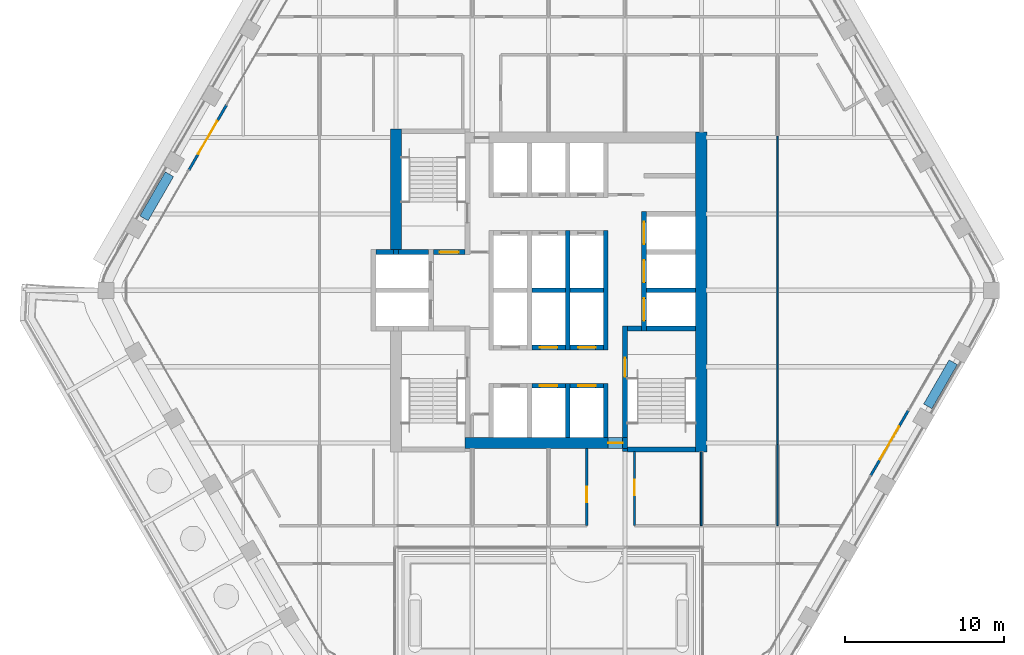
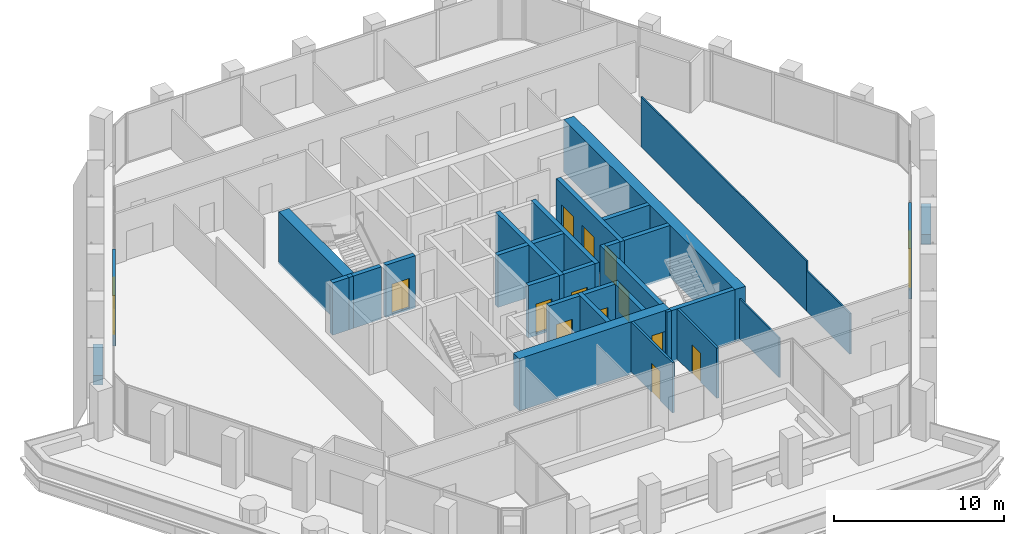
# One storey, part 13 of 18: 33 walls, 14 doors, 14 openings.
"""IFC4 building model written with IfcOpenShell, lengths in metres."""

from ifc_helpers import new_model, si_unit, direction, frame, frame_2d, origin, place, context, subcontext, project, spatial, rectangle, extrude, material, layer, layer_set, type_object, element, fill, save


model = new_model("IFC4")

# Units and contexts
model_context = context("Model", 3, precision=1e-05, world=origin(), true_north=direction((0.0, 1.0)))
body_context = subcontext(model_context, "Body", "Model", "MODEL_VIEW")
ifc_project = project(units=[si_unit("LENGTHUNIT", "METRE"), si_unit("AREAUNIT", "SQUARE_METRE"), si_unit("VOLUMEUNIT", "CUBIC_METRE"), si_unit("PLANEANGLEUNIT", "RADIAN"), si_unit("MASSUNIT", "GRAM", prefix="KILO")], contexts=[model_context])

# Site, building, storey
site_placement = place(None, origin())
site = spatial("IfcSite", under=ifc_project, at=site_placement, CompositionType="ELEMENT")
building_placement = place(site_placement, origin())
building = spatial("IfcBuilding", under=site, at=building_placement, Name="Kolab Exchange Tower", CompositionType="ELEMENT")
storey_placement = place(building_placement, frame((0.0, 0.0, 212.89990234375)))
storey = spatial("IfcBuildingStorey", under=building, at=storey_placement, Name="L46", CompositionType="ELEMENT", Elevation=212.89990234375)

# Wall, opening, door
ifc_material_1 = material(Name="Concrete C60/75", Category="concrete")
ifc_layer_1 = layer(ifc_material_1, 0.699951171875)
ifc_layer_set_1 = layer_set([ifc_layer_1], Name="Concrete C60/75")
wall_type_1 = type_object("IfcWallType", Name="CORE WALL 700 C60/75", PredefinedType="SHEAR", material=ifc_layer_set_1)
wall_1_placement = place(storey_placement, frame((-5.25, -9.60009765625, -0.14990234375), z_axis=(0.0, 0.0, 1.0), x_axis=(1.0, 0.0, 0.0)))
wall_1 = element("IfcWall", 1, at=wall_1_placement, inside=storey, type_object=wall_type_1, Name="wall/L46/core/002", PredefinedType="SHEAR", context=body_context, shape_type="SweptSolid", body=[
    extrude(rectangle(XDim=10.199951171875, YDim=0.699951171875, at=frame_2d((5.10009765625, 0.0))), origin(), (0.0, 0.0, 1.0), 3.75),
])
opening_1_placement = place(wall_1_placement, frame((9.0, 0.0, 0.14990234375)))
opening_1 = element("IfcOpeningElement", 2, at=opening_1_placement, cuts=wall_1, Name="Opening D6-291", PredefinedType="OPENING", context=body_context, shape_type="SweptSolid", body=[
    extrude(rectangle(XDim=0.89990234375, YDim=2.10009765625, at=frame_2d((0.449951171875, 1.050048828125))), frame((0.0, 0.35986328125, 0.0), z_axis=(0.0, -1.0, 0.0), x_axis=(1.0, 0.0, 0.0)), (0.0, 0.0, 1.0), 0.719970703125),
])
ifc_material_2 = material(Name="Steel S235", Category="steel")
door_type_1 = type_object("IfcDoorType", Name="CORE DOOR 900 EI 120", OperationType="SINGLE_SWING_LEFT", PredefinedType="DOOR", material=ifc_material_2)
door_1_placement = place(opening_1_placement, origin())
door_1 = element("IfcDoor", 3, at=door_1_placement, inside=storey, type_object=door_type_1, Name="Core lobby door", OperationType="SINGLE_SWING_LEFT", OverallHeight=2.10009765625, OverallWidth=0.89990234375, PredefinedType="DOOR", context=body_context, shape_type="SweptSolid", body=[
    extrude(rectangle(XDim=0.89990234375, YDim=2.10009765625, at=frame_2d((0.449951171875, 1.050048828125))), frame((0.0, 0.02490234375, 0.0), z_axis=(0.0, -1.0, 0.0), x_axis=(1.0, 0.0, 0.0)), (0.0, 0.0, 1.0), 0.050048828125),
])
fill(opening_1, door_1)

# Walls
wall_2_placement = place(storey_placement, frame((-9.60009765625, 2.550048828125, -0.14990234375), z_axis=(0.0, 0.0, 1.0), x_axis=(0.0, 1.0, 0.0)))
element("IfcWall", 4, at=wall_2_placement, inside=storey, type_object=wall_type_1, Name="wall/L46/core/037", PredefinedType="SHEAR", context=body_context, shape_type="SweptSolid", body=[
    extrude(rectangle(XDim=7.599853515625, YDim=0.699951171875, at=frame_2d((3.7998046875, 0.0))), origin(), (0.0, 0.0, 1.0), 3.75),
])
wall_3_placement = place(storey_placement, frame((9.60009765625, -10.14990234375, -0.14990234375), z_axis=(0.0, 0.0, 1.0), x_axis=(0.0, 1.0, 0.0)))
element("IfcWall", 5, at=wall_3_placement, inside=storey, type_object=wall_type_1, Name="wall/L46/core/058", PredefinedType="SHEAR", context=body_context, shape_type="SweptSolid", body=[
    extrude(rectangle(XDim=20.099853515625, YDim=0.699951171875, at=frame_2d((10.0498046875, 0.0))), origin(), (0.0, 0.0, 1.0), 3.75),
])

# Wall, opening, door
ifc_material_3 = material(Name="Aluminium EN AW-6063 T6", Category="aluminium")
ifc_layer_2 = layer(ifc_material_3, 0.159912109375)
ifc_layer_set_2 = layer_set([ifc_layer_2], Name="Aluminium EN AW-6063 T6")
wall_type_2 = type_object("IfcWallType", Name="DOOR SURROUND WALL 160 ALUMINIUM FRAMED", PredefinedType="PARTITIONING", material=ifc_layer_set_2)
wall_4_placement = place(storey_placement, frame((22.61669921875, -7.5498046875, 0.0), z_axis=(0.0, 0.0, 1.0), x_axis=(-0.5000167099, -0.866015756104, 0.0)))
wall_4 = element("IfcWall", 6, at=wall_4_placement, inside=storey, type_object=wall_type_2, Name="Door surround wall", PredefinedType="PARTITIONING", context=body_context, shape_type="SweptSolid", body=[
    extrude(rectangle(XDim=4.739990234375, YDim=0.159912109375, at=frame_2d((2.3701171875, 0.0))), origin(), (0.0, 0.0, 1.0), 3.60009765625),
])
opening_2_placement = place(wall_4_placement, frame((1.169921875, 0.0, 0.0)))
opening_2 = element("IfcOpeningElement", 7, at=opening_2_placement, cuts=wall_4, Name="Opening GD1-072", PredefinedType="OPENING", context=body_context, shape_type="SweptSolid", body=[
    extrude(rectangle(XDim=2.39990234375, YDim=2.39990234375, at=frame_2d((1.199951171875, 1.199951171875))), frame((0.0, 0.08984375, 0.0), z_axis=(0.0, -1.0, 0.0), x_axis=(1.0, 0.0, 0.0)), (0.0, 0.0, 1.0), 0.179931640625),
])
door_type_2 = type_object("IfcDoorType", Name="LOGGIA SLIDING GLASS DOOR 2400 X 2400", OperationType="DOUBLE_DOOR_SINGLE_SWING", PredefinedType="DOOR", material=ifc_material_3)
door_2_placement = place(opening_2_placement, origin())
door_2 = element("IfcDoor", 8, at=door_2_placement, inside=storey, type_object=door_type_2, Name="Loggia door", OperationType="DOUBLE_DOOR_SLIDING", OverallHeight=2.39990234375, OverallWidth=2.39990234375, PredefinedType="DOOR", context=body_context, shape_type="SweptSolid", body=[
    extrude(rectangle(XDim=2.39990234375, YDim=2.39990234375, at=frame_2d((1.199951171875, 1.199951171875))), frame((0.0, 0.02490234375, 0.0), z_axis=(0.0, -1.0, 0.0), x_axis=(1.0, 0.0, 0.0)), (0.0, 0.0, 1.0), 0.050048828125),
])
fill(opening_2, door_2)

wall_5_placement = place(storey_placement, frame((-22.61669921875, 7.5498046875, 0.0), z_axis=(0.0, 0.0, 1.0), x_axis=(0.5000167099, 0.866015756104, 0.0)))
wall_5 = element("IfcWall", 9, at=wall_5_placement, inside=storey, type_object=wall_type_2, Name="Door surround wall", PredefinedType="PARTITIONING", context=body_context, shape_type="SweptSolid", body=[
    extrude(rectangle(XDim=4.739990234375, YDim=0.159912109375, at=frame_2d((2.3701171875, 0.0))), origin(), (0.0, 0.0, 1.0), 3.60009765625),
])
opening_3_placement = place(wall_5_placement, frame((1.169921875, 0.0, 0.0)))
opening_3 = element("IfcOpeningElement", 10, at=opening_3_placement, cuts=wall_5, Name="Opening GD1-078", PredefinedType="OPENING", context=body_context, shape_type="SweptSolid", body=[
    extrude(rectangle(XDim=2.39990234375, YDim=2.39990234375, at=frame_2d((1.199951171875, 1.199951171875))), frame((0.0, 0.08984375, 0.0), z_axis=(0.0, -1.0, 0.0), x_axis=(1.0, 0.0, 0.0)), (0.0, 0.0, 1.0), 0.179931640625),
])
door_3_placement = place(opening_3_placement, origin())
door_3 = element("IfcDoor", 11, at=door_3_placement, inside=storey, type_object=door_type_2, Name="Loggia door", OperationType="DOUBLE_DOOR_SLIDING", OverallHeight=2.39990234375, OverallWidth=2.39990234375, PredefinedType="DOOR", context=body_context, shape_type="SweptSolid", body=[
    extrude(rectangle(XDim=2.39990234375, YDim=2.39990234375, at=frame_2d((1.199951171875, 1.199951171875))), frame((0.0, 0.02490234375, 0.0), z_axis=(0.0, -1.0, 0.0), x_axis=(1.0, 0.0, 0.0)), (0.0, 0.0, 1.0), 0.050048828125),
])
fill(opening_3, door_3)

ifc_material_4 = material(Name="Concrete C50/60", Category="concrete")
ifc_layer_3 = layer(ifc_material_4, 0.300048828125)
ifc_layer_set_3 = layer_set([ifc_layer_3], Name="Concrete C50/60")
wall_type_3 = type_object("IfcWallType", Name="LIFT SHAFT WALL 300 C50/60", PredefinedType="STANDARD", material=ifc_layer_set_3)
wall_6_placement = place(storey_placement, frame((-1.050048828125, -6.0, -0.14990234375), z_axis=(0.0, 0.0, 1.0), x_axis=(1.0, 0.0, 0.0)))
wall_6 = element("IfcWall", 12, at=wall_6_placement, inside=storey, type_object=wall_type_3, Name="wall/L46/core/004", PredefinedType="STANDARD", context=body_context, shape_type="SweptSolid", body=[
    extrude(rectangle(XDim=2.10009765625, YDim=0.300048828125, at=frame_2d((1.050048828125, 0.0))), origin(), (0.0, 0.0, 1.0), 3.75),
])
opening_4_placement = place(wall_6_placement, frame((0.5, 0.0, 0.14990234375)))
opening_4 = element("IfcOpeningElement", 13, at=opening_4_placement, cuts=wall_6, Name="Opening LD1-123", PredefinedType="OPENING", context=body_context, shape_type="SweptSolid", body=[
    extrude(rectangle(XDim=1.10009765625, YDim=2.10009765625, at=frame_2d((0.550048828125, 1.050048828125))), frame((0.0, 0.16015625, 0.0), z_axis=(0.0, -1.0, 0.0), x_axis=(1.0, 0.0, 0.0)), (0.0, 0.0, 1.0), 0.320068359375),
])
ifc_material_5 = material(Name="Stainless steel 316", Category="steel")
door_type_3 = type_object("IfcDoorType", Name="LANDING DOOR 1100 PASSENGER", OperationType="DOUBLE_DOOR_SLIDING", PredefinedType="DOOR", material=ifc_material_5)
door_4_placement = place(opening_4_placement, origin())
door_4 = element("IfcDoor", 14, at=door_4_placement, inside=storey, type_object=door_type_3, Name="Landing door HR11", OperationType="DOUBLE_DOOR_SLIDING", OverallHeight=2.10009765625, OverallWidth=1.10009765625, PredefinedType="DOOR", context=body_context, shape_type="SweptSolid", body=[
    extrude(rectangle(XDim=1.10009765625, YDim=2.10009765625, at=frame_2d((0.550048828125, 1.050048828125))), frame((0.0, 0.02490234375, 0.0), z_axis=(0.0, -1.0, 0.0), x_axis=(1.0, 0.0, 0.0)), (0.0, 0.0, 1.0), 0.050048828125),
])
fill(opening_4, door_4)

wall_7_placement = place(storey_placement, frame((1.35009765625, -6.0, -0.14990234375), z_axis=(0.0, 0.0, 1.0), x_axis=(1.0, 0.0, 0.0)))
wall_7 = element("IfcWall", 15, at=wall_7_placement, inside=storey, type_object=wall_type_3, Name="wall/L46/core/005", PredefinedType="STANDARD", context=body_context, shape_type="SweptSolid", body=[
    extrude(rectangle(XDim=2.099853515625, YDim=0.300048828125, at=frame_2d((1.0498046875, 0.0))), origin(), (0.0, 0.0, 1.0), 3.75),
])
opening_5_placement = place(wall_7_placement, frame((0.5, 0.0, 0.14990234375)))
opening_5 = element("IfcOpeningElement", 16, at=opening_5_placement, cuts=wall_7, Name="Opening LD1-124", PredefinedType="OPENING", context=body_context, shape_type="SweptSolid", body=[
    extrude(rectangle(XDim=1.10009765625, YDim=2.10009765625, at=frame_2d((0.550048828125, 1.050048828125))), frame((0.0, 0.16015625, 0.0), z_axis=(0.0, -1.0, 0.0), x_axis=(1.0, 0.0, 0.0)), (0.0, 0.0, 1.0), 0.320068359375),
])
door_5_placement = place(opening_5_placement, origin())
door_5 = element("IfcDoor", 17, at=door_5_placement, inside=storey, type_object=door_type_3, Name="Landing door HR12", OperationType="DOUBLE_DOOR_SLIDING", OverallHeight=2.10009765625, OverallWidth=1.10009765625, PredefinedType="DOOR", context=body_context, shape_type="SweptSolid", body=[
    extrude(rectangle(XDim=1.10009765625, YDim=2.10009765625, at=frame_2d((0.550048828125, 1.050048828125))), frame((0.0, 0.02490234375, 0.0), z_axis=(0.0, -1.0, 0.0), x_axis=(1.0, 0.0, 0.0)), (0.0, 0.0, 1.0), 0.050048828125),
])
fill(opening_5, door_5)

wall_8_placement = place(storey_placement, frame((-1.050048828125, -3.60009765625, -0.14990234375), z_axis=(0.0, 0.0, 1.0), x_axis=(1.0, 0.0, 0.0)))
wall_8 = element("IfcWall", 18, at=wall_8_placement, inside=storey, type_object=wall_type_3, Name="wall/L46/core/007", PredefinedType="STANDARD", context=body_context, shape_type="SweptSolid", body=[
    extrude(rectangle(XDim=2.10009765625, YDim=0.300048828125, at=frame_2d((1.050048828125, 0.0))), origin(), (0.0, 0.0, 1.0), 3.75),
])
opening_6_placement = place(wall_8_placement, frame((0.5, 0.0, 0.14990234375)))
opening_6 = element("IfcOpeningElement", 19, at=opening_6_placement, cuts=wall_8, Name="Opening LD1-131", PredefinedType="OPENING", context=body_context, shape_type="SweptSolid", body=[
    extrude(rectangle(XDim=1.10009765625, YDim=2.10009765625, at=frame_2d((0.550048828125, 1.050048828125))), frame((0.0, 0.16015625, 0.0), z_axis=(0.0, -1.0, 0.0), x_axis=(1.0, 0.0, 0.0)), (0.0, 0.0, 1.0), 0.320068359375),
])
door_6_placement = place(opening_6_placement, origin())
door_6 = element("IfcDoor", 20, at=door_6_placement, inside=storey, type_object=door_type_3, Name="Landing door HR8", OperationType="DOUBLE_DOOR_SLIDING", OverallHeight=2.10009765625, OverallWidth=1.10009765625, PredefinedType="DOOR", context=body_context, shape_type="SweptSolid", body=[
    extrude(rectangle(XDim=1.10009765625, YDim=2.10009765625, at=frame_2d((0.550048828125, 1.050048828125))), frame((0.0, 0.02490234375, 0.0), z_axis=(0.0, -1.0, 0.0), x_axis=(1.0, 0.0, 0.0)), (0.0, 0.0, 1.0), 0.050048828125),
])
fill(opening_6, door_6)

wall_9_placement = place(storey_placement, frame((1.35009765625, -3.60009765625, -0.14990234375), z_axis=(0.0, 0.0, 1.0), x_axis=(1.0, 0.0, 0.0)))
wall_9 = element("IfcWall", 21, at=wall_9_placement, inside=storey, type_object=wall_type_3, Name="wall/L46/core/008", PredefinedType="STANDARD", context=body_context, shape_type="SweptSolid", body=[
    extrude(rectangle(XDim=2.099853515625, YDim=0.300048828125, at=frame_2d((1.0498046875, 0.0))), origin(), (0.0, 0.0, 1.0), 3.75),
])
opening_7_placement = place(wall_9_placement, frame((0.5, 0.0, 0.14990234375)))
opening_7 = element("IfcOpeningElement", 22, at=opening_7_placement, cuts=wall_9, Name="Opening LD1-132", PredefinedType="OPENING", context=body_context, shape_type="SweptSolid", body=[
    extrude(rectangle(XDim=1.10009765625, YDim=2.10009765625, at=frame_2d((0.550048828125, 1.050048828125))), frame((0.0, 0.16015625, 0.0), z_axis=(0.0, -1.0, 0.0), x_axis=(1.0, 0.0, 0.0)), (0.0, 0.0, 1.0), 0.320068359375),
])
door_7_placement = place(opening_7_placement, origin())
door_7 = element("IfcDoor", 23, at=door_7_placement, inside=storey, type_object=door_type_3, Name="Landing door HR9", OperationType="DOUBLE_DOOR_SLIDING", OverallHeight=2.10009765625, OverallWidth=1.10009765625, PredefinedType="DOOR", context=body_context, shape_type="SweptSolid", body=[
    extrude(rectangle(XDim=1.10009765625, YDim=2.10009765625, at=frame_2d((0.550048828125, 1.050048828125))), frame((0.0, 0.02490234375, 0.0), z_axis=(0.0, -1.0, 0.0), x_axis=(1.0, 0.0, 0.0)), (0.0, 0.0, 1.0), 0.050048828125),
])
fill(opening_7, door_7)

# Walls
wall_10_placement = place(storey_placement, frame((-1.050048828125, 0.0, -0.14990234375), z_axis=(0.0, 0.0, 1.0), x_axis=(1.0, 0.0, 0.0)))
element("IfcWall", 24, at=wall_10_placement, inside=storey, type_object=wall_type_3, Name="wall/L46/core/016", PredefinedType="STANDARD", context=body_context, shape_type="SweptSolid", body=[
    extrude(rectangle(XDim=2.10009765625, YDim=0.300048828125, at=frame_2d((1.050048828125, 0.0))), origin(), (0.0, 0.0, 1.0), 3.75),
])
wall_11_placement = place(storey_placement, frame((1.35009765625, 0.0, -0.14990234375), z_axis=(0.0, 0.0, 1.0), x_axis=(1.0, 0.0, 0.0)))
element("IfcWall", 25, at=wall_11_placement, inside=storey, type_object=wall_type_3, Name="wall/L46/core/017", PredefinedType="STANDARD", context=body_context, shape_type="SweptSolid", body=[
    extrude(rectangle(XDim=2.099853515625, YDim=0.300048828125, at=frame_2d((1.0498046875, 0.0))), origin(), (0.0, 0.0, 1.0), 3.75),
])
wall_12_placement = place(storey_placement, frame((6.14990234375, 0.0, -0.14990234375), z_axis=(0.0, 0.0, 1.0), x_axis=(1.0, 0.0, 0.0)))
element("IfcWall", 26, at=wall_12_placement, inside=storey, type_object=wall_type_3, Name="wall/L46/core/018", PredefinedType="STANDARD", context=body_context, shape_type="SweptSolid", body=[
    extrude(rectangle(XDim=3.10009765625, YDim=0.300048828125, at=frame_2d((1.550048828125, 0.0))), origin(), (0.0, 0.0, 1.0), 3.75),
])
wall_13_placement = place(storey_placement, frame((-10.85009765625, 2.39990234375, -0.14990234375), z_axis=(0.0, 0.0, 1.0), x_axis=(1.0, 0.0, 0.0)))
element("IfcWall", 27, at=wall_13_placement, inside=storey, type_object=wall_type_3, Name="wall/L46/core/019", PredefinedType="STANDARD", context=body_context, shape_type="SweptSolid", body=[
    extrude(rectangle(XDim=1.10009765625, YDim=0.300048828125, at=frame_2d((0.550048828125, 0.0))), origin(), (0.0, 0.0, 1.0), 3.75),
])
wall_14_placement = place(storey_placement, frame((1.199951171875, -9.25, -0.14990234375), z_axis=(0.0, 0.0, 1.0), x_axis=(0.0, 1.0, 0.0)))
element("IfcWall", 28, at=wall_14_placement, inside=storey, type_object=wall_type_3, Name="wall/L46/core/049", PredefinedType="STANDARD", context=body_context, shape_type="SweptSolid", body=[
    extrude(rectangle(XDim=3.39990234375, YDim=0.300048828125, at=frame_2d((1.699951171875, 0.0))), origin(), (0.0, 0.0, 1.0), 3.75),
])
wall_15_placement = place(storey_placement, frame((1.199951171875, -3.75, -0.14990234375), z_axis=(0.0, 0.0, 1.0), x_axis=(0.0, 1.0, 0.0)))
element("IfcWall", 29, at=wall_15_placement, inside=storey, type_object=wall_type_3, Name="wall/L46/core/050", PredefinedType="STANDARD", context=body_context, shape_type="SweptSolid", body=[
    extrude(rectangle(XDim=7.5, YDim=0.300048828125, at=frame_2d((3.75, 0.0))), origin(), (0.0, 0.0, 1.0), 3.75),
])
wall_16_placement = place(storey_placement, frame((3.60009765625, -9.25, -0.14990234375), z_axis=(0.0, 0.0, 1.0), x_axis=(0.0, 1.0, 0.0)))
element("IfcWall", 30, at=wall_16_placement, inside=storey, type_object=wall_type_3, Name="wall/L46/core/052", PredefinedType="STANDARD", context=body_context, shape_type="SweptSolid", body=[
    extrude(rectangle(XDim=3.39990234375, YDim=0.300048828125, at=frame_2d((1.699951171875, 0.0))), origin(), (0.0, 0.0, 1.0), 3.75),
])
wall_17_placement = place(storey_placement, frame((3.60009765625, -3.75, -0.14990234375), z_axis=(0.0, 0.0, 1.0), x_axis=(0.0, 1.0, 0.0)))
element("IfcWall", 31, at=wall_17_placement, inside=storey, type_object=wall_type_3, Name="wall/L46/core/053", PredefinedType="STANDARD", context=body_context, shape_type="SweptSolid", body=[
    extrude(rectangle(XDim=7.5, YDim=0.300048828125, at=frame_2d((3.75, 0.0))), origin(), (0.0, 0.0, 1.0), 3.75),
])

# Wall, openings, doors
wall_18_placement = place(storey_placement, frame((6.0, -2.550048828125, -0.14990234375), z_axis=(0.0, 0.0, 1.0), x_axis=(0.0, 1.0, 0.0)))
wall_18 = element("IfcWall", 32, at=wall_18_placement, inside=storey, type_object=wall_type_3, Name="wall/L46/core/057", PredefinedType="STANDARD", context=body_context, shape_type="SweptSolid", body=[
    extrude(rectangle(XDim=7.5, YDim=0.300048828125, at=frame_2d((3.75, 0.0))), origin(), (0.0, 0.0, 1.0), 3.75),
])
opening_8_placement = place(wall_18_placement, frame((0.64990234375, 0.0, 0.14990234375)))
opening_8 = element("IfcOpeningElement", 33, at=opening_8_placement, cuts=wall_18, Name="Opening LD3-040", PredefinedType="OPENING", context=body_context, shape_type="SweptSolid", body=[
    extrude(rectangle(XDim=1.39990234375, YDim=2.10009765625, at=frame_2d((0.699951171875, 1.050048828125))), frame((0.0, 0.16015625, 0.0), z_axis=(0.0, -1.0, 0.0), x_axis=(1.0, 0.0, 0.0)), (0.0, 0.0, 1.0), 0.320068359375),
])
opening_9_placement = place(wall_18_placement, frame((3.050048828125, 0.0, 0.14990234375)))
opening_9 = element("IfcOpeningElement", 34, at=opening_9_placement, cuts=wall_18, Name="Opening LD3-041", PredefinedType="OPENING", context=body_context, shape_type="SweptSolid", body=[
    extrude(rectangle(XDim=1.39990234375, YDim=2.10009765625, at=frame_2d((0.699951171875, 1.050048828125))), frame((0.0, 0.16015625, 0.0), z_axis=(0.0, -1.0, 0.0), x_axis=(1.0, 0.0, 0.0)), (0.0, 0.0, 1.0), 0.320068359375),
])
opening_10_placement = place(wall_18_placement, frame((5.449951171875, 0.0, 0.14990234375)))
opening_10 = element("IfcOpeningElement", 35, at=opening_10_placement, cuts=wall_18, Name="Opening LD3-042", PredefinedType="OPENING", context=body_context, shape_type="SweptSolid", body=[
    extrude(rectangle(XDim=1.39990234375, YDim=2.10009765625, at=frame_2d((0.699951171875, 1.050048828125))), frame((0.0, 0.16015625, 0.0), z_axis=(0.0, -1.0, 0.0), x_axis=(1.0, 0.0, 0.0)), (0.0, 0.0, 1.0), 0.320068359375),
])
door_type_4 = type_object("IfcDoorType", Name="LANDING DOOR 1400 SERVICE", OperationType="DOUBLE_DOOR_SLIDING", PredefinedType="DOOR", material=ifc_material_5)
door_8_placement = place(opening_8_placement, origin())
door_8 = element("IfcDoor", 36, at=door_8_placement, inside=storey, type_object=door_type_4, Name="Landing door SV1", OperationType="DOUBLE_DOOR_SLIDING", OverallHeight=2.10009765625, OverallWidth=1.39990234375, PredefinedType="DOOR", context=body_context, shape_type="SweptSolid", body=[
    extrude(rectangle(XDim=1.39990234375, YDim=2.10009765625, at=frame_2d((0.699951171875, 1.050048828125))), frame((0.0, 0.02490234375, 0.0), z_axis=(0.0, -1.0, 0.0), x_axis=(1.0, 0.0, 0.0)), (0.0, 0.0, 1.0), 0.050048828125),
])
fill(opening_8, door_8)
door_9_placement = place(opening_9_placement, origin())
door_9 = element("IfcDoor", 37, at=door_9_placement, inside=storey, type_object=door_type_4, Name="Landing door SV2", OperationType="DOUBLE_DOOR_SLIDING", OverallHeight=2.10009765625, OverallWidth=1.39990234375, PredefinedType="DOOR", context=body_context, shape_type="SweptSolid", body=[
    extrude(rectangle(XDim=1.39990234375, YDim=2.10009765625, at=frame_2d((0.699951171875, 1.050048828125))), frame((0.0, 0.02490234375, 0.0), z_axis=(0.0, -1.0, 0.0), x_axis=(1.0, 0.0, 0.0)), (0.0, 0.0, 1.0), 0.050048828125),
])
fill(opening_9, door_9)
door_10_placement = place(opening_10_placement, origin())
door_10 = element("IfcDoor", 38, at=door_10_placement, inside=storey, type_object=door_type_4, Name="Landing door SV3", OperationType="DOUBLE_DOOR_SLIDING", OverallHeight=2.10009765625, OverallWidth=1.39990234375, PredefinedType="DOOR", context=body_context, shape_type="SweptSolid", body=[
    extrude(rectangle(XDim=1.39990234375, YDim=2.10009765625, at=frame_2d((0.699951171875, 1.050048828125))), frame((0.0, 0.02490234375, 0.0), z_axis=(0.0, -1.0, 0.0), x_axis=(1.0, 0.0, 0.0)), (0.0, 0.0, 1.0), 0.050048828125),
])
fill(opening_10, door_10)

# Walls
ifc_material_6 = material(Name="Gypsum board", Category="gypsum")
ifc_layer_4 = layer(ifc_material_6, 0.10009765625)
ifc_layer_set_4 = layer_set([ifc_layer_4], Name="Gypsum board")
wall_type_4 = type_object("IfcWallType", Name="PARTITION 100", PredefinedType="PARTITIONING", material=ifc_layer_set_4)
wall_19_placement = place(storey_placement, frame((14.39990234375, -9.7060546875, 0.0), z_axis=(0.0, 0.0, 1.0), x_axis=(0.0, 1.0, 0.0)))
element("IfcWall", 39, at=wall_19_placement, inside=storey, type_object=wall_type_4, Name="Partition 000", PredefinedType="PARTITIONING", context=body_context, shape_type="SweptSolid", body=[
    extrude(rectangle(XDim=19.412109375, YDim=0.10009765625, at=frame_2d((9.7060546875, 0.0))), origin(), (0.0, 0.0, 1.0), 3.60009765625),
])
wall_20_placement = place(storey_placement, frame((14.39990234375, -14.800048828125, 0.0), z_axis=(0.0, 0.0, 1.0), x_axis=(0.0, 1.0, 0.0)))
element("IfcWall", 40, at=wall_20_placement, inside=storey, type_object=wall_type_4, Name="Partition 000", PredefinedType="PARTITIONING", context=body_context, shape_type="SweptSolid", body=[
    extrude(rectangle(XDim=5.093994140625, YDim=0.10009765625, at=frame_2d((2.546875, 0.0))), origin(), (0.0, 0.0, 1.0), 2.916015625),
])
wall_21_placement = place(storey_placement, frame((9.60009765625, -14.800048828125, 0.0), z_axis=(0.0, 0.0, 1.0), x_axis=(0.0, 1.0, 0.0)))
element("IfcWall", 41, at=wall_21_placement, inside=storey, type_object=wall_type_4, Name="Partition 001", PredefinedType="PARTITIONING", context=body_context, shape_type="SweptSolid", body=[
    extrude(rectangle(XDim=4.650146484375, YDim=0.10009765625, at=frame_2d((2.3251953125, 0.0))), origin(), (0.0, 0.0, 1.0), 2.838134765625),
])

# Wall, opening, door
ifc_layer_5 = layer(ifc_material_6, 0.14990234375)
ifc_layer_set_5 = layer_set([ifc_layer_5], Name="Gypsum board")
wall_type_5 = type_object("IfcWallType", Name="PARTITION 150 FIRE-RATED", PredefinedType="PARTITIONING", material=ifc_layer_set_5)
wall_22_placement = place(storey_placement, frame((5.39990234375, -14.800048828125, 0.0), z_axis=(0.0, 0.0, 1.0), x_axis=(0.0, 1.0, 0.0)))
wall_22 = element("IfcWall", 42, at=wall_22_placement, inside=storey, type_object=wall_type_5, Name="Partition 003", PredefinedType="PARTITIONING", context=body_context, shape_type="SweptSolid", body=[
    extrude(rectangle(XDim=4.650146484375, YDim=0.14990234375, at=frame_2d((2.3251953125, 0.0))), origin(), (0.0, 0.0, 1.0), 3.60009765625),
])
opening_11_placement = place(wall_22_placement, frame((1.89990234375, 0.0, 0.0)))
opening_11 = element("IfcOpeningElement", 43, at=opening_11_placement, cuts=wall_22, Name="Opening D1-592", PredefinedType="OPENING", context=body_context, shape_type="SweptSolid", body=[
    extrude(rectangle(XDim=1.0, YDim=2.10009765625, at=frame_2d((0.5, 1.050048828125))), frame((0.0, 0.0849609375, 0.0), z_axis=(0.0, -1.0, 0.0), x_axis=(1.0, 0.0, 0.0)), (0.0, 0.0, 1.0), 0.169921875),
])
door_type_5 = type_object("IfcDoorType", Name="FLUSH DOOR 1000 FD60", OperationType="SINGLE_SWING_LEFT", PredefinedType="DOOR", material=ifc_material_2)
door_11_placement = place(opening_11_placement, frame((1.0, 0.0, 0.0), z_axis=(0.0, 0.0, 1.0), x_axis=(-1.0, 0.0, 0.0)))
door_11 = element("IfcDoor", 44, at=door_11_placement, inside=storey, type_object=door_type_5, Name="Door L46-035", OperationType="SINGLE_SWING_LEFT", OverallHeight=2.10009765625, OverallWidth=1.0, PredefinedType="DOOR", context=body_context, shape_type="SweptSolid", body=[
    extrude(rectangle(XDim=1.0, YDim=2.10009765625, at=frame_2d((0.5, 1.050048828125))), frame((0.0, 0.02490234375, 0.0), z_axis=(0.0, -1.0, 0.0), x_axis=(1.0, 0.0, 0.0)), (0.0, 0.0, 1.0), 0.050048828125),
])
fill(opening_11, door_11)

wall_23_placement = place(storey_placement, frame((2.39990234375, -14.800048828125, 0.0), z_axis=(0.0, 0.0, 1.0), x_axis=(0.0, 1.0, 0.0)))
wall_23 = element("IfcWall", 45, at=wall_23_placement, inside=storey, type_object=wall_type_5, Name="Partition 006", PredefinedType="PARTITIONING", context=body_context, shape_type="SweptSolid", body=[
    extrude(rectangle(XDim=4.85009765625, YDim=0.14990234375, at=frame_2d((2.425048828125, 0.0))), origin(), (0.0, 0.0, 1.0), 3.60009765625),
])
opening_12_placement = place(wall_23_placement, frame((1.465087890625, 0.0, 0.0)))
opening_12 = element("IfcOpeningElement", 46, at=opening_12_placement, cuts=wall_23, Name="Opening D1-595", PredefinedType="OPENING", context=body_context, shape_type="SweptSolid", body=[
    extrude(rectangle(XDim=1.0, YDim=2.10009765625, at=frame_2d((0.5, 1.050048828125))), frame((0.0, 0.0849609375, 0.0), z_axis=(0.0, -1.0, 0.0), x_axis=(1.0, 0.0, 0.0)), (0.0, 0.0, 1.0), 0.169921875),
])
door_12_placement = place(opening_12_placement, origin())
door_12 = element("IfcDoor", 47, at=door_12_placement, inside=storey, type_object=door_type_5, Name="Door L46-038", OperationType="SINGLE_SWING_LEFT", OverallHeight=2.10009765625, OverallWidth=1.0, PredefinedType="DOOR", context=body_context, shape_type="SweptSolid", body=[
    extrude(rectangle(XDim=1.0, YDim=2.10009765625, at=frame_2d((0.5, 1.050048828125))), frame((0.0, 0.02490234375, 0.0), z_axis=(0.0, -1.0, 0.0), x_axis=(1.0, 0.0, 0.0)), (0.0, 0.0, 1.0), 0.050048828125),
])
fill(opening_12, door_12)

# Walls
ifc_material_7 = material(Name="Granite facing", Category="masonry")
ifc_layer_6 = layer(ifc_material_7, 0.0400390625)
ifc_material_8 = material(Name="Concrete C40/50 precast", Category="concrete")
ifc_layer_7 = layer(ifc_material_8, 0.56005859375)
ifc_layer_set_6 = layer_set([ifc_layer_6, ifc_layer_7], Name="Concrete C40/50 precast")
wall_type_6 = type_object("IfcWallType", Name="PLANTER BOX 600 X 700 SOIL DEPTH 550", PredefinedType="USERDEFINED", material=ifc_layer_set_6)
for number, where, z_axis, x_axis, name in (
    (48, (25.43701171875, -4.524658203125, 0.0), (0.0, 0.0, 1.0), (-0.499938187974, -0.866061088033, 0.0), "Planter"),
    (49, (-25.43701171875, 4.524658203125, 0.0), (0.0, 0.0, 1.0), (0.499938187974, 0.866061088033, 0.0), "Planter"),
):
    element("IfcWall", number, at=place(storey_placement, frame(where, z_axis=z_axis, x_axis=x_axis)), inside=storey, type_object=wall_type_6, Name=name, ObjectType="PLANTER", PredefinedType="USERDEFINED", context=body_context, shape_type="SweptSolid", body=[
        extrude(rectangle(XDim=3.2001953125, YDim=0.60009765625, at=frame_2d((1.60009765625, 0.0))), origin(), (0.0, 0.0, 1.0), 0.7001953125),
    ])
ifc_layer_8 = layer(ifc_material_4, 0.300048828125)
ifc_layer_set_7 = layer_set([ifc_layer_8], Name="Concrete C50/60")
wall_type_7 = type_object("IfcWallType", Name="STAIR ENCLOSURE WALL 300 C50/60", PredefinedType="STANDARD", material=ifc_layer_set_7)
wall_24_placement = place(storey_placement, frame((4.949951171875, -10.0, -0.14990234375), z_axis=(0.0, 0.0, 1.0), x_axis=(1.0, 0.0, 0.0)))
element("IfcWall", 50, at=wall_24_placement, inside=storey, type_object=wall_type_7, Name="wall/L46/core/001", PredefinedType="STANDARD", context=body_context, shape_type="SweptSolid", body=[
    extrude(rectangle(XDim=4.300048828125, YDim=0.300048828125, at=frame_2d((2.14990234375, 0.0))), origin(), (0.0, 0.0, 1.0), 3.75),
])
wall_25_placement = place(storey_placement, frame((4.949951171875, -2.39990234375, -0.14990234375), z_axis=(0.0, 0.0, 1.0), x_axis=(1.0, 0.0, 0.0)))
element("IfcWall", 51, at=wall_25_placement, inside=storey, type_object=wall_type_7, Name="wall/L46/core/012", PredefinedType="STANDARD", context=body_context, shape_type="SweptSolid", body=[
    extrude(rectangle(XDim=0.900146484375, YDim=0.300048828125, at=frame_2d((0.4501953125, 0.0))), origin(), (0.0, 0.0, 1.0), 3.75),
])
wall_26_placement = place(storey_placement, frame((6.14990234375, -2.39990234375, -0.14990234375), z_axis=(0.0, 0.0, 1.0), x_axis=(1.0, 0.0, 0.0)))
element("IfcWall", 52, at=wall_26_placement, inside=storey, type_object=wall_type_7, Name="wall/L46/core/013", PredefinedType="STANDARD", context=body_context, shape_type="SweptSolid", body=[
    extrude(rectangle(XDim=3.10009765625, YDim=0.300048828125, at=frame_2d((1.550048828125, 0.0))), origin(), (0.0, 0.0, 1.0), 3.75),
])
wall_27_placement = place(storey_placement, frame((-9.449951171875, 2.39990234375, -0.14990234375), z_axis=(0.0, 0.0, 1.0), x_axis=(1.0, 0.0, 0.0)))
element("IfcWall", 53, at=wall_27_placement, inside=storey, type_object=wall_type_7, Name="wall/L46/core/020", PredefinedType="STANDARD", context=body_context, shape_type="SweptSolid", body=[
    extrude(rectangle(XDim=1.89990234375, YDim=0.300048828125, at=frame_2d((0.949951171875, 0.0))), origin(), (0.0, 0.0, 1.0), 3.75),
])

# Wall, opening, door
wall_28_placement = place(storey_placement, frame((-7.25, 2.39990234375, -0.14990234375), z_axis=(0.0, 0.0, 1.0), x_axis=(1.0, 0.0, 0.0)))
wall_28 = element("IfcWall", 54, at=wall_28_placement, inside=storey, type_object=wall_type_7, Name="wall/L46/core/021", PredefinedType="STANDARD", context=body_context, shape_type="SweptSolid", body=[
    extrude(rectangle(XDim=2.0, YDim=0.300048828125, at=frame_2d((1.0, 0.0))), origin(), (0.0, 0.0, 1.0), 3.75),
])
opening_13_placement = place(wall_28_placement, frame((0.39990234375, 0.0, 0.14990234375)))
opening_13 = element("IfcOpeningElement", 55, at=opening_13_placement, cuts=wall_28, Name="Opening D4-069", PredefinedType="OPENING", context=body_context, shape_type="SweptSolid", body=[
    extrude(rectangle(XDim=1.199951171875, YDim=2.10009765625, at=frame_2d((0.60009765625, 1.050048828125))), frame((0.0, 0.16015625, 0.0), z_axis=(0.0, -1.0, 0.0), x_axis=(1.0, 0.0, 0.0)), (0.0, 0.0, 1.0), 0.320068359375),
])
door_type_6 = type_object("IfcDoorType", Name="STAIR DOOR 1200 EI 120", OperationType="SINGLE_SWING_LEFT", PredefinedType="DOOR", material=ifc_material_2)
door_13_placement = place(opening_13_placement, origin())
door_13 = element("IfcDoor", 56, at=door_13_placement, inside=storey, type_object=door_type_6, Name="Stair 1 door", OperationType="SINGLE_SWING_RIGHT", OverallHeight=2.10009765625, OverallWidth=1.199951171875, PredefinedType="DOOR", context=body_context, shape_type="SweptSolid", body=[
    extrude(rectangle(XDim=1.199951171875, YDim=2.10009765625, at=frame_2d((0.60009765625, 1.050048828125))), frame((0.0, 0.02490234375, 0.0), z_axis=(0.0, -1.0, 0.0), x_axis=(1.0, 0.0, 0.0)), (0.0, 0.0, 1.0), 0.050048828125),
])
fill(opening_13, door_13)

# Walls
wall_29_placement = place(storey_placement, frame((-9.60009765625, 2.25, -0.14990234375), z_axis=(0.0, 0.0, 1.0), x_axis=(0.0, 1.0, 0.0)))
element("IfcWall", 57, at=wall_29_placement, inside=storey, type_object=wall_type_7, Name="wall/L46/core/036", PredefinedType="STANDARD", context=body_context, shape_type="SweptSolid", body=[
    extrude(rectangle(XDim=0.300048828125, YDim=0.300048828125, at=frame_2d((0.14990234375, 0.0))), origin(), (0.0, 0.0, 1.0), 3.75),
])
wall_30_placement = place(storey_placement, frame((4.800048828125, -10.14990234375, -0.14990234375), z_axis=(0.0, 0.0, 1.0), x_axis=(0.0, 1.0, 0.0)))
element("IfcWall", 58, at=wall_30_placement, inside=storey, type_object=wall_type_7, Name="wall/L46/core/055", PredefinedType="STANDARD", context=body_context, shape_type="SweptSolid", body=[
    extrude(rectangle(XDim=0.199951171875, YDim=0.300048828125, at=frame_2d((0.10009765625, 0.0))), origin(), (0.0, 0.0, 1.0), 3.75),
])

# Wall, opening, door
wall_31_placement = place(storey_placement, frame((4.800048828125, -9.25, -0.14990234375), z_axis=(0.0, 0.0, 1.0), x_axis=(0.0, 1.0, 0.0)))
wall_31 = element("IfcWall", 59, at=wall_31_placement, inside=storey, type_object=wall_type_7, Name="wall/L46/core/056", PredefinedType="STANDARD", context=body_context, shape_type="SweptSolid", body=[
    extrude(rectangle(XDim=7.0, YDim=0.300048828125, at=frame_2d((3.5, 0.0))), origin(), (0.0, 0.0, 1.0), 3.75),
])
opening_14_placement = place(wall_31_placement, frame((3.800048828125, 0.0, 0.14990234375)))
opening_14 = element("IfcOpeningElement", 60, at=opening_14_placement, cuts=wall_31, Name="Opening D4-071", PredefinedType="OPENING", context=body_context, shape_type="SweptSolid", body=[
    extrude(rectangle(XDim=1.199951171875, YDim=2.10009765625, at=frame_2d((0.60009765625, 1.050048828125))), frame((0.0, 0.16015625, 0.0), z_axis=(0.0, -1.0, 0.0), x_axis=(1.0, 0.0, 0.0)), (0.0, 0.0, 1.0), 0.320068359375),
])
door_14_placement = place(opening_14_placement, frame((1.199951171875, 0.0, 0.0), z_axis=(0.0, 0.0, 1.0), x_axis=(-1.0, 0.0, 0.0)))
door_14 = element("IfcDoor", 61, at=door_14_placement, inside=storey, type_object=door_type_6, Name="Stair 2 door", OperationType="SINGLE_SWING_RIGHT", OverallHeight=2.10009765625, OverallWidth=1.199951171875, PredefinedType="DOOR", context=body_context, shape_type="SweptSolid", body=[
    extrude(rectangle(XDim=1.199951171875, YDim=2.10009765625, at=frame_2d((0.60009765625, 1.050048828125))), frame((0.0, 0.02490234375, 0.0), z_axis=(0.0, -1.0, 0.0), x_axis=(1.0, 0.0, 0.0)), (0.0, 0.0, 1.0), 0.050048828125),
])
fill(opening_14, door_14)

save(model, "model.ifc")
